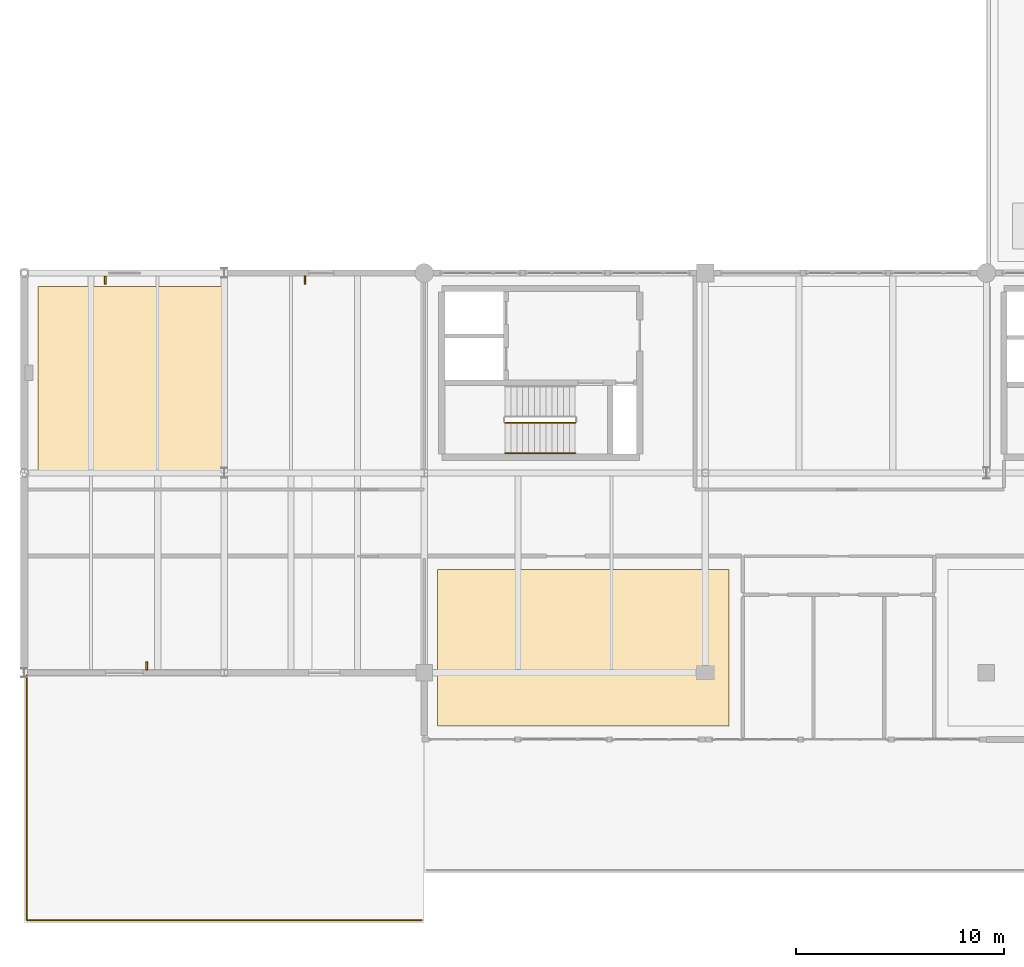
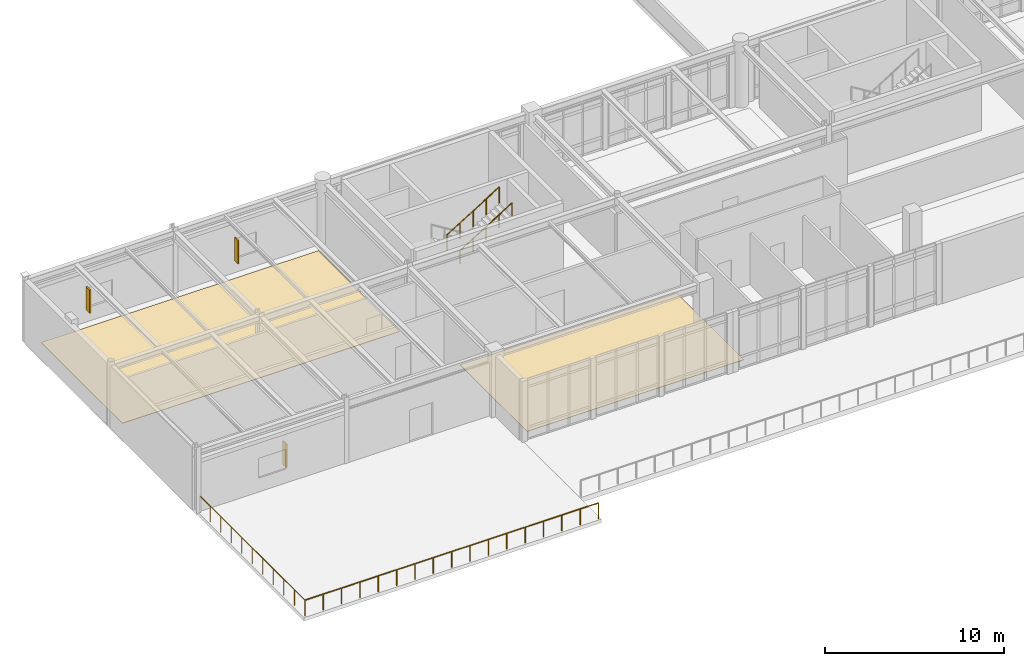
# One storey, part 51 of 55: 4 railings, 3 shading devices, 2 coverings.
"""IFC4 building model written with IfcOpenShell, lengths in metres."""

from ifc_helpers import new_model, si_unit, direction, frame, origin, origin_2d, place, context, subcontext, project, spatial, polyline, rectangle, circle, outline, extrude, material, layer, layer_set, type_object, element, save


model = new_model("IFC4")

# Units and contexts
model_context = context("Model", 3, precision=1e-05, world=origin(), true_north=direction((0.0, 1.0)))
body_context = subcontext(model_context, "Body", "Model", "MODEL_VIEW")
ifc_project = project(units=[si_unit("LENGTHUNIT", "METRE"), si_unit("AREAUNIT", "SQUARE_METRE"), si_unit("VOLUMEUNIT", "CUBIC_METRE"), si_unit("PLANEANGLEUNIT", "RADIAN"), si_unit("MASSUNIT", "GRAM", prefix="KILO")], contexts=[model_context])

# Site, building, storey
site_placement = place(None, origin())
site = spatial("IfcSite", under=ifc_project, at=site_placement, CompositionType="ELEMENT")
building_placement = place(site_placement, origin())
building = spatial("IfcBuilding", under=site, at=building_placement, Name="Fikremerkos Civic Library", CompositionType="ELEMENT")
storey_placement = place(building_placement, frame((0.0, 0.0, 18.89990234375)))
storey = spatial("IfcBuildingStorey", under=building, at=storey_placement, Name="L04", CompositionType="ELEMENT", Elevation=18.89990234375)

# Railing
ifc_material_1 = material(Name="Painted Steel S275", Category="steel")
railing_type_1 = type_object("IfcRailingType", Name="Interior balustrade guard RLG-INT 1100", PredefinedType="BALUSTRADE", material=ifc_material_1)
railing_1_placement = place(storey_placement, frame((23.090087890625, 24.0, 2.423095703125)))
element("IfcRailing", 1, at=railing_1_placement, inside=storey, type_object=railing_type_1, Name="L04 ST-K1 stair guard 3", PredefinedType="BALUSTRADE", context=body_context, shape_type="SweptSolid", body=[
    extrude(circle(Radius=0.02392578125, at=origin_2d()), frame((0.0, 0.0, 1.076171875), z_axis=(0.850606129759, 0.0, 0.525803396734), x_axis=(0.0, 1.0, 0.0)), (0.0, 0.0, 1.0), 3.949951171875),
    extrude(circle(Radius=0.02099609375, at=origin_2d()), origin(), (0.0, 0.0, 1.0), 1.052001953125),
    extrude(circle(Radius=0.02099609375, at=origin_2d()), frame((0.83984375, 0.0, 0.519287109375)), (0.0, 0.0, 1.0), 1.052001953125),
    extrude(circle(Radius=0.02099609375, at=origin_2d()), frame((1.679931640625, 0.0, 1.03857421875)), (0.0, 0.0, 1.0), 1.052001953125),
    extrude(circle(Radius=0.02099609375, at=origin_2d()), frame((2.52001953125, 0.0, 1.5576171875)), (0.0, 0.0, 1.0), 1.052001953125),
    extrude(circle(Radius=0.02099609375, at=origin_2d()), frame((3.35986328125, 0.0, 2.076904296875)), (0.0, 0.0, 1.0), 1.052001953125),
])

# Shading devices
ifc_material_2 = material(Name="Bronze anodized aluminium", Category="aluminium")
shading_device_type = type_object("IfcShadingDeviceType", Name="Perforated bronze vertical solar fin SHD-02", PredefinedType="USERDEFINED", material=ifc_material_2)
for number, where, z_axis, x_axis, name in (
    (2, (5.8798828125, 12.324951171875, 0.824951171875), (0.0, 0.0, 1.0), (1.0, 0.0, 0.0), "Vertical bronze solar fin SHD-02 L04 #62"),
    (3, (3.8837890625, 30.85009765625, 0.824951171875), (0.0, 0.0, 1.0), (1.0, 0.0, 0.0), "Vertical bronze solar fin SHD-02 L04 #63"),
    (4, (13.469970703125, 30.860107421875, 0.824951171875), (0.0, 0.0, 1.0), (1.0, 0.0, 0.0), "Vertical bronze solar fin SHD-02 L04 #64"),
):
    element("IfcShadingDevice", number, at=place(storey_placement, frame(where, z_axis=z_axis, x_axis=x_axis)), inside=storey, type_object=shading_device_type, Name=name, ObjectType="SOLAR FIN", PredefinedType="USERDEFINED", context=body_context, shape_type="SweptSolid", body=[
        extrude(rectangle(XDim=0.080078125, YDim=0.39990234375, at=origin_2d()), origin(), (0.0, 0.0, 1.0), 1.60009765625),
    ])

# Coverings
ifc_material_3 = material(Name="Polished basalt terrazzo", Category="masonry")
ifc_layer = layer(ifc_material_3, 0.030029296875, Name="Polished basalt terrazzo")
ifc_layer_set = layer_set([ifc_layer], Name="Polished basalt terrazzo")
covering_type = type_object("IfcCoveringType", Name="Polished basalt terrazzo flooring FLR-01", PredefinedType="FLOORING", material=ifc_layer_set)
covering_1_placement = place(storey_placement, origin())
element("IfcCovering", 5, at=covering_1_placement, inside=storey, type_object=covering_type, Name="Terrazzo floor finish Archival Curatorial Office", PredefinedType="FLOORING", context=body_context, shape_type="SweptSolid", body=[
    extrude(outline(polyline([(0.64990234375, 21.449951171875), (0.64990234375, 30.550048828125), (18.550048828125, 30.550048828125), (18.550048828125, 21.449951171875), (0.64990234375, 21.449951171875)])), origin(), (0.0, 0.0, 1.0), 0.030029296875),
])
covering_2_placement = place(storey_placement, origin())
element("IfcCovering", 6, at=covering_2_placement, inside=storey, type_object=covering_type, Name="Terrazzo floor finish Reference Desk and Bibliography Alcove", PredefinedType="FLOORING", context=body_context, shape_type="SweptSolid", body=[
    extrude(outline(polyline([(19.85009765625, 9.449951171875), (19.85009765625, 16.949951171875), (33.85009765625, 16.949951171875), (33.85009765625, 9.449951171875), (19.85009765625, 9.449951171875)])), origin(), (0.0, 0.0, 1.0), 0.030029296875),
])

# Railings
railing_type_2 = type_object("IfcRailingType", Name="Terrace balustrade guard RLG-EXT 1100", PredefinedType="BALUSTRADE", material=ifc_material_1)
railing_2_placement = place(storey_placement, frame((0.1201171875, 0.1201171875, 0.0)))
element("IfcRailing", 7, at=railing_2_placement, inside=storey, type_object=railing_type_2, Name="Terrace balustrade guard L04-TERR-01 west", PredefinedType="BALUSTRADE", context=body_context, shape_type="SweptSolid", body=[
    extrude(circle(Radius=0.02392578125, at=origin_2d()), frame((0.0, 0.0, 1.076171875), z_axis=(0.0, 1.0, 0.0), x_axis=(-1.0, 0.0, 0.0)), (0.0, 0.0, 1.0), 11.759765625),
    extrude(circle(Radius=0.02099609375, at=origin_2d()), origin(), (0.0, 0.0, 1.0), 1.052001953125),
    extrude(circle(Radius=0.02099609375, at=origin_2d()), frame((0.0, 1.176025390625, 0.0)), (0.0, 0.0, 1.0), 1.052001953125),
    extrude(circle(Radius=0.02099609375, at=origin_2d()), frame((0.0, 2.35205078125, 0.0)), (0.0, 0.0, 1.0), 1.052001953125),
    extrude(circle(Radius=0.02099609375, at=origin_2d()), frame((0.0, 3.52783203125, 0.0)), (0.0, 0.0, 1.0), 1.052001953125),
    extrude(circle(Radius=0.02099609375, at=origin_2d()), frame((0.0, 4.703857421875, 0.0)), (0.0, 0.0, 1.0), 1.052001953125),
    extrude(circle(Radius=0.02099609375, at=origin_2d()), frame((0.0, 5.8798828125, 0.0)), (0.0, 0.0, 1.0), 1.052001953125),
    extrude(circle(Radius=0.02099609375, at=origin_2d()), frame((0.0, 7.055908203125, 0.0)), (0.0, 0.0, 1.0), 1.052001953125),
    extrude(circle(Radius=0.02099609375, at=origin_2d()), frame((0.0, 8.23193359375, 0.0)), (0.0, 0.0, 1.0), 1.052001953125),
    extrude(circle(Radius=0.02099609375, at=origin_2d()), frame((0.0, 9.40771484375, 0.0)), (0.0, 0.0, 1.0), 1.052001953125),
    extrude(circle(Radius=0.02099609375, at=origin_2d()), frame((0.0, 10.583740234375, 0.0)), (0.0, 0.0, 1.0), 1.052001953125),
    extrude(circle(Radius=0.02099609375, at=origin_2d()), frame((0.0, 11.759765625, 0.0)), (0.0, 0.0, 1.0), 1.052001953125),
])
railing_3_placement = place(storey_placement, frame((0.1201171875, 0.1201171875, 0.0)))
element("IfcRailing", 8, at=railing_3_placement, inside=storey, type_object=railing_type_2, Name="Terrace balustrade guard L04-TERR-01 south", PredefinedType="BALUSTRADE", context=body_context, shape_type="SweptSolid", body=[
    extrude(circle(Radius=0.02392578125, at=origin_2d()), frame((0.0, 0.0, 1.076171875), z_axis=(1.0, 0.0, 0.0), x_axis=(0.0, 1.0, 0.0)), (0.0, 0.0, 1.0), 18.9599609375),
    extrude(circle(Radius=0.02099609375, at=origin_2d()), origin(), (0.0, 0.0, 1.0), 1.052001953125),
    extrude(circle(Radius=0.02099609375, at=origin_2d()), frame((1.18505859375, 0.0, 0.0)), (0.0, 0.0, 1.0), 1.052001953125),
    extrude(circle(Radius=0.02099609375, at=origin_2d()), frame((2.3701171875, 0.0, 0.0)), (0.0, 0.0, 1.0), 1.052001953125),
    extrude(circle(Radius=0.02099609375, at=origin_2d()), frame((3.554931640625, 0.0, 0.0)), (0.0, 0.0, 1.0), 1.052001953125),
    extrude(circle(Radius=0.02099609375, at=origin_2d()), frame((4.739990234375, 0.0, 0.0)), (0.0, 0.0, 1.0), 1.052001953125),
    extrude(circle(Radius=0.02099609375, at=origin_2d()), frame((5.925048828125, 0.0, 0.0)), (0.0, 0.0, 1.0), 1.052001953125),
    extrude(circle(Radius=0.02099609375, at=origin_2d()), frame((7.10986328125, 0.0, 0.0)), (0.0, 0.0, 1.0), 1.052001953125),
    extrude(circle(Radius=0.02099609375, at=origin_2d()), frame((8.294921875, 0.0, 0.0)), (0.0, 0.0, 1.0), 1.052001953125),
    extrude(circle(Radius=0.02099609375, at=origin_2d()), frame((9.47998046875, 0.0, 0.0)), (0.0, 0.0, 1.0), 1.052001953125),
    extrude(circle(Radius=0.02099609375, at=origin_2d()), frame((10.6650390625, 0.0, 0.0)), (0.0, 0.0, 1.0), 1.052001953125),
    extrude(circle(Radius=0.02099609375, at=origin_2d()), frame((11.85009765625, 0.0, 0.0)), (0.0, 0.0, 1.0), 1.052001953125),
    extrude(circle(Radius=0.02099609375, at=origin_2d()), frame((13.034912109375, 0.0, 0.0)), (0.0, 0.0, 1.0), 1.052001953125),
    extrude(circle(Radius=0.02099609375, at=origin_2d()), frame((14.219970703125, 0.0, 0.0)), (0.0, 0.0, 1.0), 1.052001953125),
    extrude(circle(Radius=0.02099609375, at=origin_2d()), frame((15.405029296875, 0.0, 0.0)), (0.0, 0.0, 1.0), 1.052001953125),
    extrude(circle(Radius=0.02099609375, at=origin_2d()), frame((16.58984375, 0.0, 0.0)), (0.0, 0.0, 1.0), 1.052001953125),
    extrude(circle(Radius=0.02099609375, at=origin_2d()), frame((17.77490234375, 0.0, 0.0)), (0.0, 0.0, 1.0), 1.052001953125),
    extrude(circle(Radius=0.02099609375, at=origin_2d()), frame((18.9599609375, 0.0, 0.0)), (0.0, 0.0, 1.0), 1.052001953125),
])
ifc_material_4 = material(Name="Brushed stainless steel", Category="steel")
railing_type_3 = type_object("IfcRailingType", Name="Wall and flight handrail HRL-01 900", PredefinedType="HANDRAIL", material=ifc_material_4)
railing_4_placement = place(storey_placement, frame((23.090087890625, 22.550048828125, 2.423095703125)))
element("IfcRailing", 9, at=railing_4_placement, inside=storey, type_object=railing_type_3, Name="L04 ST-K1 stair handrail 2", PredefinedType="HANDRAIL", context=body_context, shape_type="SweptSolid", body=[
    extrude(circle(Radius=0.02392578125, at=origin_2d()), frame((0.0, 0.0, 0.8759765625), z_axis=(0.850606129759, 0.0, 0.525803396734), x_axis=(0.0, 1.0, 0.0)), (0.0, 0.0, 1.0), 3.949951171875),
    extrude(circle(Radius=0.02099609375, at=origin_2d()), origin(), (0.0, 0.0, 1.0), 0.851806640625),
    extrude(circle(Radius=0.02099609375, at=origin_2d()), frame((0.83984375, 0.0, 0.519287109375)), (0.0, 0.0, 1.0), 0.851806640625),
    extrude(circle(Radius=0.02099609375, at=origin_2d()), frame((1.679931640625, 0.0, 1.03857421875)), (0.0, 0.0, 1.0), 0.851806640625),
    extrude(circle(Radius=0.02099609375, at=origin_2d()), frame((2.52001953125, 0.0, 1.5576171875)), (0.0, 0.0, 1.0), 0.851806640625),
    extrude(circle(Radius=0.02099609375, at=origin_2d()), frame((3.35986328125, 0.0, 2.076904296875)), (0.0, 0.0, 1.0), 0.851806640625),
])

save(model, "model.ifc")
